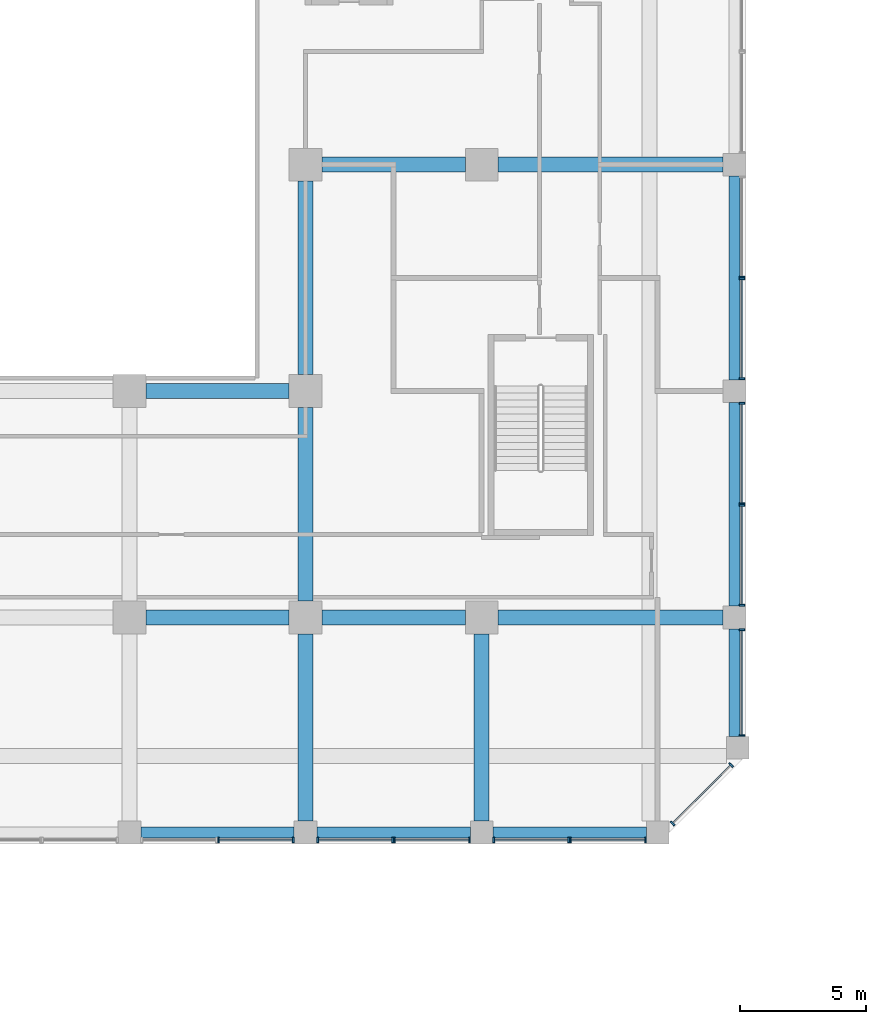
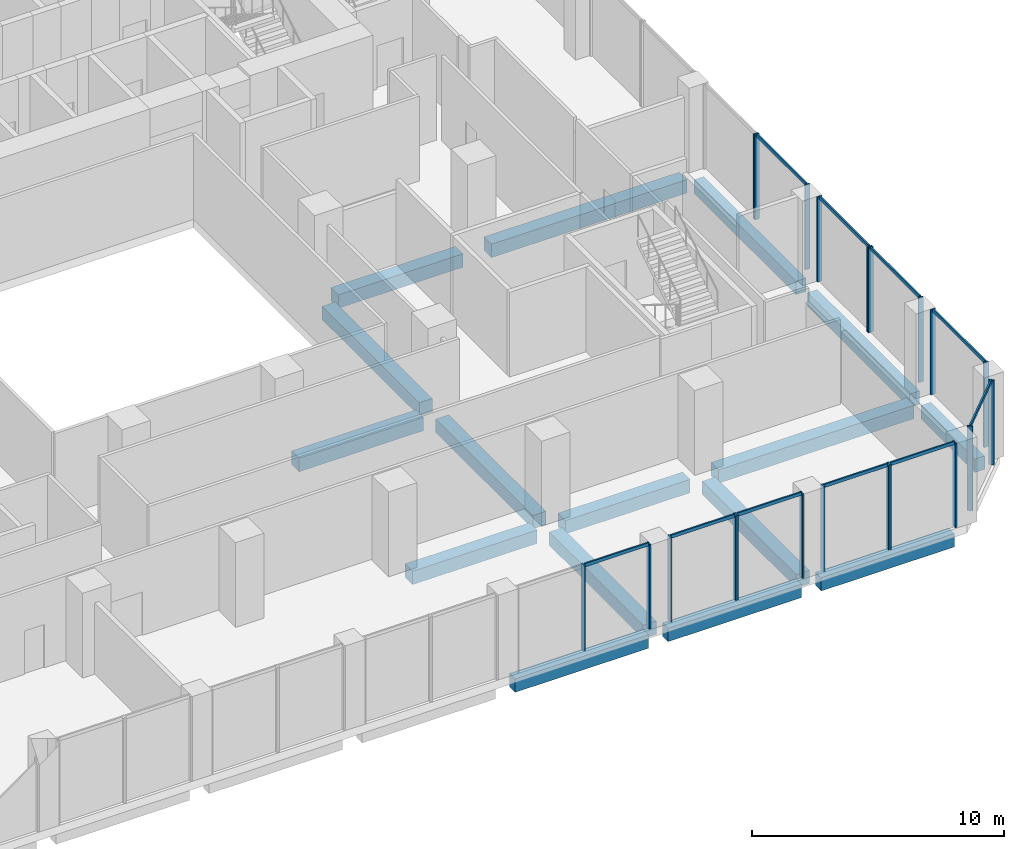
# One storey, part 5 of 35: 31 members, 16 beams, 11 elements without a shape of their own.
"""IFC4 building model written with IfcOpenShell, lengths in metres."""

import ifcopenshell
import ifcopenshell.guid

model = None  # the IFC model being written
_history = None  # IfcOwnerHistory: only IFC2X3 demands one
_inside = {}  # id of a spatial element -> (the spatial element, [elements in it])
_under = {}  # id of a project, library or spatial element -> (it, [spatial elements below it])
_declared = {}  # id of a project -> (the project, [libraries it declares])
_typed = {}  # id of a type object -> (the type object, [elements of that type])
_made_of = {}  # id of a material, layer set ... -> (it, [elements and type objects made of it])


def new_model(schema):
    """Start an empty IFC model of exactly this schema.

    Asked for "IFC4X3", IfcOpenShell would pick the latest addendum, in which some entities
    have other attributes; the version numbers below select the first issue.
    IFC2X3 requires an IfcOwnerHistory on every rooted entity: one is made here for all.
    """
    global model, _history
    if schema == "IFC4X3":
        model = ifcopenshell.file(schema_version=(4, 3, 0, 0))
    else:
        model = ifcopenshell.file(schema=schema)
    _inside.clear()
    _under.clear()
    _declared.clear()
    _typed.clear()
    _made_of.clear()
    _history = None
    if model.schema == "IFC2X3":
        org = make("IfcOrganization", Name="unknown")
        user = make(
            "IfcPersonAndOrganization",
            ThePerson=make("IfcPerson", FamilyName="unknown"),
            TheOrganization=org,
        )
        app = make(
            "IfcApplication",
            ApplicationDeveloper=org,
            Version="unknown",
            ApplicationFullName="unknown",
            ApplicationIdentifier="unknown",
        )
        _history = make(
            "IfcOwnerHistory",
            OwningUser=user,
            OwningApplication=app,
            ChangeAction="ADDED",
            CreationDate=0,
        )
    return model


def make(cls, **values):
    """One entity of the class cls with the attributes given. An attribute that is None is left unset."""
    return model.create_entity(
        cls, **{name: value for name, value in values.items() if value is not None}
    )


def rooted(cls, **values):
    """An entity with a GlobalId (a new one), such as an element, a storey or a relation."""
    return make(cls, GlobalId=ifcopenshell.guid.new(), OwnerHistory=_history, **values)


def si_unit(unit_type, name, prefix=None):
    """IfcSIUnit, for example si_unit("LENGTHUNIT", "METRE", prefix="MILLI")."""
    return make("IfcSIUnit", UnitType=unit_type, Prefix=prefix, Name=name)


def assignment(units):
    """IfcUnitAssignment: the units of a project."""
    return None if units is None else make("IfcUnitAssignment", Units=units)


def point(xyz):
    """IfcCartesianPoint."""
    return None if xyz is None else make("IfcCartesianPoint", Coordinates=xyz)


def direction(xyz):
    """IfcDirection."""
    return None if xyz is None else make("IfcDirection", DirectionRatios=xyz)


def frame(location, z_axis=None, x_axis=None):
    """IfcAxis2Placement3D, a coordinate frame: its origin and axes. An axis left out is left unset."""
    return make(
        "IfcAxis2Placement3D",
        Location=point(location),
        Axis=direction(z_axis),
        RefDirection=direction(x_axis),
    )


def frame_2d(location, x_axis=None):
    """IfcAxis2Placement2D, a coordinate frame in the plane: its origin and x axis."""
    return make(
        "IfcAxis2Placement2D", Location=point(location), RefDirection=direction(x_axis)
    )


def origin():
    """The frame at (0, 0, 0) with its axes left unset."""
    return frame((0.0, 0.0, 0.0))


def origin_2d():
    """The frame at (0, 0) in the plane with its x axis left unset."""
    return frame_2d((0.0, 0.0))


def place(relative_to, where):
    """IfcLocalPlacement: puts the frame where relative to a parent placement (None: the world)."""
    return make(
        "IfcLocalPlacement", PlacementRelTo=relative_to, RelativePlacement=where
    )


def context(
    kind, dimensions, precision=None, world=None, true_north=None, identifier=None
):
    """IfcGeometricRepresentationContext, for example the 3D "Model" context."""
    return make(
        "IfcGeometricRepresentationContext",
        ContextIdentifier=identifier,
        ContextType=kind,
        CoordinateSpaceDimension=dimensions,
        Precision=precision,
        WorldCoordinateSystem=world,
        TrueNorth=true_north,
    )


def subcontext(parent, identifier, kind, view, scale=None):
    """IfcGeometricRepresentationSubContext, for example "Body" below "Model"."""
    return make(
        "IfcGeometricRepresentationSubContext",
        ContextIdentifier=identifier,
        ContextType=kind,
        ParentContext=parent,
        TargetScale=scale,
        TargetView=view,
    )


def project(units=None, contexts=None):
    """IfcProject with its units and contexts."""
    return rooted(
        "IfcProject",
        Name="project",
        RepresentationContexts=contexts,
        UnitsInContext=assignment(units),
    )


def spatial(cls, under=None, at=None, **own):
    """A site, building, storey or space (cls), placed at a placement, below another one or the project."""
    s = rooted(cls, ObjectPlacement=at, **own)
    if under is not None:
        _under.setdefault(under.id(), (under, []))[1].append(s)
    return s


def profile(cls, at=None, kind="AREA", **sizes):
    """A parametric profile (cls). Its sizes go by their IFC names, for example OverallWidth=200.0."""
    return make(cls, ProfileType=kind, Position=at, **sizes)


def rectangle(**sizes):
    """IfcRectangleProfileDef."""
    return profile("IfcRectangleProfileDef", **sizes)


def extrude(swept, where, along, depth):
    """IfcExtrudedAreaSolid: the profile swept, set in the frame where, extruded along a direction by depth."""
    return make(
        "IfcExtrudedAreaSolid",
        SweptArea=swept,
        Position=where,
        ExtrudedDirection=direction(along),
        Depth=depth,
    )


def shape(context_of_items, identifier, shape_type, items):
    """IfcShapeRepresentation: the items that make up one representation, for example the "Body"."""
    return make(
        "IfcShapeRepresentation",
        ContextOfItems=context_of_items,
        RepresentationIdentifier=identifier,
        RepresentationType=shape_type,
        Items=items,
    )


def source(mapping_origin, context_of_items, identifier, shape_type, items):
    """IfcRepresentationMap: a shape defined once, which mapped items show again and again."""
    return make(
        "IfcRepresentationMap",
        MappingOrigin=mapping_origin,
        MappedRepresentation=shape(context_of_items, identifier, shape_type, items),
    )


def transform(
    local_origin,
    x_axis=None,
    y_axis=None,
    z_axis=None,
    scale=None,
    scale2=None,
    scale3=None,
    uniform=True,
):
    """IfcCartesianTransformationOperator3D, or its non-uniform kind. x_axis, y_axis, z_axis: its Axis1, 2, 3."""
    if uniform:
        return make(
            "IfcCartesianTransformationOperator3D",
            Axis1=direction(x_axis),
            Axis2=direction(y_axis),
            LocalOrigin=point(local_origin),
            Scale=scale,
            Axis3=direction(z_axis),
        )
    return make(
        "IfcCartesianTransformationOperator3DnonUniform",
        Axis1=direction(x_axis),
        Axis2=direction(y_axis),
        LocalOrigin=point(local_origin),
        Scale=scale,
        Axis3=direction(z_axis),
        Scale2=scale2,
        Scale3=scale3,
    )


def mapped(mapping_source, mapping_target):
    """IfcMappedItem: shows the shape of a source again, moved by a transform."""
    return make(
        "IfcMappedItem", MappingSource=mapping_source, MappingTarget=mapping_target
    )


def material(Name=None, Category=None):
    """IfcMaterial."""
    return make("IfcMaterial", Name=Name, Category=Category)


def material_profile(
    of_material, cross_section, Name=None, Category=None, Priority=None
):
    """IfcMaterialProfile: a cross section and its material."""
    return make(
        "IfcMaterialProfile",
        Name=Name,
        Material=of_material,
        Profile=cross_section,
        Priority=Priority,
        Category=Category,
    )


def profile_set(profiles, Name=None, composite=None):
    """IfcMaterialProfileSet."""
    return make(
        "IfcMaterialProfileSet",
        Name=Name,
        MaterialProfiles=profiles,
        CompositeProfile=composite,
    )


def made_of(thing, what):
    """Note that an element or type object is made of a material, layer set ...; save() writes the relation."""
    if what is not None:
        _made_of.setdefault(what.id(), (what, []))[1].append(thing)
    return thing


def type_object(cls, material=None, **own):
    """A type object (cls), such as IfcWallType, which elements share."""
    return made_of(rooted(cls, **own), material)


def element(
    cls,
    number,
    at=None,
    inside=None,
    cuts=None,
    type_object=None,
    material=None,
    context=None,
    identifier="Body",
    shape_type=None,
    held_by="IfcProductDefinitionShape",
    body=None,
    shapes=None,
    **own,
):
    """One element of the class cls, such as IfcWall. Its Tag is "e" and its number.

    at: its placement. inside: the storey or other place that contains it. cuts: it is an
    opening in that element (IfcRelVoidsElement). A single representation is given by context,
    identifier, shape_type and body (its items); several are given by shapes. held_by: the class
    of the entity that holds the representations. save() writes the other relations.
    """
    e = rooted(cls, Tag="e%d" % number, ObjectPlacement=at, **own)
    if body is not None:
        shapes = [shape(context, identifier, shape_type, body)]
    if shapes is not None:
        e.Representation = make(held_by, Representations=shapes)
    if inside is not None:
        _inside.setdefault(inside.id(), (inside, []))[1].append(e)
    if cuts is not None:
        rooted(
            "IfcRelVoidsElement", RelatingBuildingElement=cuts, RelatedOpeningElement=e
        )
    if type_object is not None:
        _typed.setdefault(type_object.id(), (type_object, []))[1].append(e)
    return made_of(e, material)


def aggregate(whole, parts):
    """IfcRelAggregates: a whole, such as a stair, and the parts it consists of."""
    return rooted("IfcRelAggregates", RelatingObject=whole, RelatedObjects=parts)


def save(model, path):
    """Write the relations noted so far, then the file.

    IfcRelAggregates (storeys below a building ...), IfcRelContainedInSpatialStructure (elements
    in a storey), IfcRelDefinesByType, IfcRelAssociatesMaterial and IfcRelDeclares: one each for
    every whole, place, type object, material and project.
    """
    for whole, parts in _under.values():
        aggregate(whole, parts)
    for where, things in _inside.values():
        rooted(
            "IfcRelContainedInSpatialStructure",
            RelatedElements=things,
            RelatingStructure=where,
        )
    for kind, things in _typed.values():
        rooted("IfcRelDefinesByType", RelatedObjects=things, RelatingType=kind)
    for what, things in _made_of.values():
        rooted("IfcRelAssociatesMaterial", RelatedObjects=things, RelatingMaterial=what)
    for by, libraries in _declared.values():
        rooted("IfcRelDeclares", RelatingContext=by, RelatedDefinitions=libraries)
    model.write(path)


model = new_model("IFC4")

# Units and contexts
model_context = context("Model", 3, precision=1e-05, world=origin(), true_north=direction((0.0, 1.0)))
body_context = subcontext(model_context, "Body", "Model", "MODEL_VIEW")
ifc_project = project(units=[si_unit("LENGTHUNIT", "METRE"), si_unit("AREAUNIT", "SQUARE_METRE"), si_unit("VOLUMEUNIT", "CUBIC_METRE"), si_unit("PLANEANGLEUNIT", "RADIAN"), si_unit("MASSUNIT", "GRAM", prefix="KILO")], contexts=[model_context])

# Site, building, storey
site_placement = place(None, origin())
site = spatial("IfcSite", under=ifc_project, at=site_placement, CompositionType="ELEMENT")
building_placement = place(site_placement, origin())
building = spatial("IfcBuilding", under=site, at=building_placement, Name="Kilnfold Tower and Market Hall", CompositionType="ELEMENT")
storey_placement = place(building_placement, frame((0.0, 0.0, 13.5)))
storey = spatial("IfcBuildingStorey", under=building, at=storey_placement, Name="L02", CompositionType="ELEMENT", Elevation=13.5)

# Beams
ifc_material_1 = material(Name="Concrete C45", Category="concrete")
ifc_material_profile_1 = material_profile(ifc_material_1, rectangle(XDim=0.449951171875, YDim=0.64990234375, at=origin_2d()), Name="RC 450x650")
ifc_profile_set_1 = profile_set([ifc_material_profile_1], Name="Concrete C45")
beam_type_1 = type_object("IfcBeamType", Name="EDGE BEAM 450X650 C45", PredefinedType="BEAM", material=ifc_profile_set_1)
shared_shape_1 = source(origin(), body_context, "Body", "SweptSolid", [
    extrude(rectangle(XDim=0.449951171875, YDim=0.64990234375, at=origin_2d()), origin(), (0.0, 0.0, 1.0), 6.10009765625),
])
for number, where, z_axis, x_axis, name in (
    (1, (3.949951171875, -27.550048828125, -0.72509765625), (1.0, 0.0, 0.0), (0.0, 1.0, 0.0), "Beam EB650-B1.4"),
    (2, (10.949951171875, -27.550048828125, -0.72509765625), (1.0, 0.0, 0.0), (0.0, 1.0, 0.0), "Beam EB650-B1.5"),
    (3, (17.949951171875, -27.550048828125, -0.72509765625), (1.0, 0.0, 0.0), (0.0, 1.0, 0.0), "Beam EB650-B1.6"),
):
    element("IfcBeam", number, at=place(storey_placement, frame(where, z_axis=z_axis, x_axis=x_axis)), inside=storey, type_object=beam_type_1, Name=name, PredefinedType="BEAM", context=body_context, shape_type="MappedRepresentation", body=[
        mapped(shared_shape_1, transform((0.0, 0.0, 0.0))),
    ])
ifc_material_2 = material(Name="Concrete C45", Category="concrete")
ifc_material_profile_2 = material_profile(ifc_material_2, rectangle(XDim=0.60009765625, YDim=0.64990234375, at=origin_2d()), Name="RC 600x650")
ifc_profile_set_2 = profile_set([ifc_material_profile_2], Name="Concrete C45")
beam_type_2 = type_object("IfcBeamType", Name="BEAM 600X650 C45", PredefinedType="BEAM", material=ifc_profile_set_2)
shared_shape_2 = source(origin(), body_context, "Body", "SweptSolid", [
    extrude(rectangle(XDim=0.60009765625, YDim=0.64990234375, at=origin_2d()), origin(), (0.0, 0.0, 1.0), 8.9501953125),
])
for number, where, z_axis, x_axis, name in (
    (4, (18.14990234375, -19.0, -0.72509765625), (1.0, 0.0, 0.0), (0.0, 1.0, 0.0), "Beam BB650-B1.12"),
    (5, (18.14990234375, -1.0, -0.72509765625), (1.0, 0.0, 0.0), (0.0, 1.0, 0.0), "Beam BB650-B1.20"),
):
    element("IfcBeam", number, at=place(storey_placement, frame(where, z_axis=z_axis, x_axis=x_axis)), inside=storey, type_object=beam_type_2, Name=name, PredefinedType="BEAM", context=body_context, shape_type="MappedRepresentation", body=[
        mapped(shared_shape_2, transform((0.0, 0.0, 0.0))),
    ])
shared_shape_3 = source(origin(), body_context, "Body", "SweptSolid", [
    extrude(rectangle(XDim=0.60009765625, YDim=0.64990234375, at=origin_2d()), origin(), (0.0, 0.0, 1.0), 5.7001953125),
])
for number, where, z_axis, x_axis, name in (
    (6, (4.14990234375, -19.0, -0.72509765625), (1.0, 0.0, 0.0), (0.0, 1.0, 0.0), "Beam BB650-B1.10"),
    (7, (11.14990234375, -19.0, -0.72509765625), (1.0, 0.0, 0.0), (0.0, 1.0, 0.0), "Beam BB650-B1.11"),
    (8, (4.14990234375, -10.0, -0.72509765625), (1.0, 0.0, 0.0), (0.0, 1.0, 0.0), "Beam BB650-B1.15"),
    (9, (11.14990234375, -1.0, -0.72509765625), (1.0, 0.0, 0.0), (0.0, 1.0, 0.0), "Beam BB650-B1.19"),
):
    element("IfcBeam", number, at=place(storey_placement, frame(where, z_axis=z_axis, x_axis=x_axis)), inside=storey, type_object=beam_type_2, Name=name, PredefinedType="BEAM", context=body_context, shape_type="MappedRepresentation", body=[
        mapped(shared_shape_3, transform((0.0, 0.0, 0.0))),
    ])
shared_shape_4 = source(origin(), body_context, "Body", "SweptSolid", [
    extrude(rectangle(XDim=0.449951171875, YDim=0.64990234375, at=origin_2d()), origin(), (0.0, 0.0, 1.0), 8.10009765625),
])
for number, where, z_axis, x_axis, name in (
    (10, (27.550048828125, -18.550048828125, -0.72509765625), (0.0, 1.0, 0.0), (-1.0, 0.0, 0.0), "Beam EB650-B1.52"),
    (11, (27.550048828125, -9.550048828125, -0.72509765625), (0.0, 1.0, 0.0), (-1.0, 0.0, 0.0), "Beam EB650-B1.58"),
):
    element("IfcBeam", number, at=place(storey_placement, frame(where, z_axis=z_axis, x_axis=x_axis)), inside=storey, type_object=beam_type_1, Name=name, PredefinedType="BEAM", context=body_context, shape_type="MappedRepresentation", body=[
        mapped(shared_shape_4, transform((0.0, 0.0, 0.0))),
    ])
shared_shape_5 = source(origin(), body_context, "Body", "SweptSolid", [
    extrude(rectangle(XDim=0.60009765625, YDim=0.64990234375, at=origin_2d()), origin(), (0.0, 0.0, 1.0), 7.4501953125),
])
for number, where, z_axis, x_axis, name in (
    (12, (10.5, -27.10009765625, -0.72509765625), (0.0, 1.0, 0.0), (-1.0, 0.0, 0.0), "Beam BB650-B1.47"),
    (13, (17.5, -27.10009765625, -0.72509765625), (0.0, 1.0, 0.0), (-1.0, 0.0, 0.0), "Beam BB650-B1.50"),
):
    element("IfcBeam", number, at=place(storey_placement, frame(where, z_axis=z_axis, x_axis=x_axis)), inside=storey, type_object=beam_type_2, Name=name, PredefinedType="BEAM", context=body_context, shape_type="MappedRepresentation", body=[
        mapped(shared_shape_5, transform((0.0, 0.0, 0.0))),
    ])
shared_shape_6 = source(origin(), body_context, "Body", "SweptSolid", [
    extrude(rectangle(XDim=0.60009765625, YDim=0.64990234375, at=origin_2d()), origin(), (0.0, 0.0, 1.0), 7.7001953125),
])
for number, where, z_axis, x_axis, name in (
    (14, (10.5, -18.35009765625, -0.72509765625), (0.0, 1.0, 0.0), (-1.0, 0.0, 0.0), "Beam BB650-B1.48"),
    (15, (10.5, -9.35009765625, -0.72509765625), (0.0, 1.0, 0.0), (-1.0, 0.0, 0.0), "Beam BB650-B1.49"),
):
    element("IfcBeam", number, at=place(storey_placement, frame(where, z_axis=z_axis, x_axis=x_axis)), inside=storey, type_object=beam_type_2, Name=name, PredefinedType="BEAM", context=body_context, shape_type="MappedRepresentation", body=[
        mapped(shared_shape_6, transform((0.0, 0.0, 0.0))),
    ])
shared_shape_7 = source(origin(), body_context, "Body", "SweptSolid", [
    extrude(rectangle(XDim=0.449951171875, YDim=0.64990234375, at=origin_2d()), origin(), (0.0, 0.0, 1.0), 4.28173828125),
])
beam_placement = place(storey_placement, frame((27.550048828125, -23.731689453125, -0.72509765625), z_axis=(0.0, 1.0, 0.0), x_axis=(-1.0, 0.0, 0.0)))
element("IfcBeam", 16, at=beam_placement, inside=storey, type_object=beam_type_1, Name="Beam EB650-B1.51", PredefinedType="BEAM", context=body_context, shape_type="MappedRepresentation", body=[
    mapped(shared_shape_7, transform((0.0, 0.0, 0.0))),
])

# Curtain wall, members
ifc_material_3 = material(Name="Aluminium and double glazing", Category="aluminium")
curtain_wall_type = type_object("IfcCurtainWallType", Name="CW BASE PODIUM GLAZING", PredefinedType="NOTDEFINED", material=ifc_material_3)
curtain_wall_1_placement = place(storey_placement, origin())
curtain_wall_1 = element("IfcCurtainWall", 17, at=curtain_wall_1_placement, inside=storey, type_object=curtain_wall_type, Name="Curtain wall CW4 L02 S", PredefinedType="NOTDEFINED")
ifc_material_4 = material(Name="Aluminium", Category="aluminium")
ifc_material_profile_3 = material_profile(ifc_material_4, rectangle(XDim=0.070068359375, YDim=0.219970703125, at=origin_2d()), Name="MULLION 70x220")
ifc_profile_set_3 = profile_set([ifc_material_profile_3], Name="Aluminium")
member_type_1 = type_object("IfcMemberType", Name="MULLION 70X220", PredefinedType="MULLION", material=ifc_profile_set_3)
shared_shape_8 = source(origin(), body_context, "Body", "SweptSolid", [
    extrude(rectangle(XDim=0.070068359375, YDim=0.219970703125, at=origin_2d()), origin(), (0.0, 0.0, 1.0), 4.10009765625),
])
member_1_placement = place(storey_placement, frame((7.034912109375, -27.85009765625, 0.0), z_axis=(0.0, 0.0, 1.0), x_axis=(1.0, 0.0, 0.0)))
member_1 = element("IfcMember", 18, at=member_1_placement, type_object=member_type_1, Name="CW4 mullion 1", PredefinedType="MULLION", context=body_context, shape_type="MappedRepresentation", body=[
    mapped(shared_shape_8, transform((0.0, 0.0, 0.0))),
])
member_2_placement = place(storey_placement, frame((10.014892578125, -27.85009765625, 0.0), z_axis=(0.0, 0.0, 1.0), x_axis=(1.0, 0.0, 0.0)))
member_2 = element("IfcMember", 19, at=member_2_placement, type_object=member_type_1, Name="CW4 mullion 2", PredefinedType="MULLION", context=body_context, shape_type="MappedRepresentation", body=[
    mapped(shared_shape_8, transform((0.0, 0.0, 0.0))),
])

curtain_wall_2_placement = place(storey_placement, origin())
curtain_wall_2 = element("IfcCurtainWall", 20, at=curtain_wall_2_placement, inside=storey, type_object=curtain_wall_type, Name="Curtain wall CW4 L02 S", PredefinedType="NOTDEFINED")
member_3_placement = place(storey_placement, frame((10.985107421875, -27.85009765625, 0.0), z_axis=(0.0, 0.0, 1.0), x_axis=(1.0, 0.0, 0.0)))
member_3 = element("IfcMember", 21, at=member_3_placement, type_object=member_type_1, Name="CW4 mullion 1", PredefinedType="MULLION", context=body_context, shape_type="MappedRepresentation", body=[
    mapped(shared_shape_8, transform((0.0, 0.0, 0.0))),
])
member_4_placement = place(storey_placement, frame((13.965087890625, -27.85009765625, 0.0), z_axis=(0.0, 0.0, 1.0), x_axis=(1.0, 0.0, 0.0)))
member_4 = element("IfcMember", 22, at=member_4_placement, type_object=member_type_1, Name="CW4 mullion 2", PredefinedType="MULLION", context=body_context, shape_type="MappedRepresentation", body=[
    mapped(shared_shape_8, transform((0.0, 0.0, 0.0))),
])

curtain_wall_3_placement = place(storey_placement, origin())
curtain_wall_3 = element("IfcCurtainWall", 23, at=curtain_wall_3_placement, inside=storey, type_object=curtain_wall_type, Name="Curtain wall CW4 L02 S", PredefinedType="NOTDEFINED")
member_5_placement = place(storey_placement, frame((14.034912109375, -27.85009765625, 0.0), z_axis=(0.0, 0.0, 1.0), x_axis=(1.0, 0.0, 0.0)))
member_5 = element("IfcMember", 24, at=member_5_placement, type_object=member_type_1, Name="CW4 mullion 1", PredefinedType="MULLION", context=body_context, shape_type="MappedRepresentation", body=[
    mapped(shared_shape_8, transform((0.0, 0.0, 0.0))),
])
member_6_placement = place(storey_placement, frame((17.014892578125, -27.85009765625, 0.0), z_axis=(0.0, 0.0, 1.0), x_axis=(1.0, 0.0, 0.0)))
member_6 = element("IfcMember", 25, at=member_6_placement, type_object=member_type_1, Name="CW4 mullion 2", PredefinedType="MULLION", context=body_context, shape_type="MappedRepresentation", body=[
    mapped(shared_shape_8, transform((0.0, 0.0, 0.0))),
])

curtain_wall_4_placement = place(storey_placement, origin())
curtain_wall_4 = element("IfcCurtainWall", 26, at=curtain_wall_4_placement, inside=storey, type_object=curtain_wall_type, Name="Curtain wall CW4 L02 S", PredefinedType="NOTDEFINED")
member_7_placement = place(storey_placement, frame((17.985107421875, -27.85009765625, 0.0), z_axis=(0.0, 0.0, 1.0), x_axis=(1.0, 0.0, 0.0)))
member_7 = element("IfcMember", 27, at=member_7_placement, type_object=member_type_1, Name="CW4 mullion 1", PredefinedType="MULLION", context=body_context, shape_type="MappedRepresentation", body=[
    mapped(shared_shape_8, transform((0.0, 0.0, 0.0))),
])
member_8_placement = place(storey_placement, frame((20.965087890625, -27.85009765625, 0.0), z_axis=(0.0, 0.0, 1.0), x_axis=(1.0, 0.0, 0.0)))
member_8 = element("IfcMember", 28, at=member_8_placement, type_object=member_type_1, Name="CW4 mullion 2", PredefinedType="MULLION", context=body_context, shape_type="MappedRepresentation", body=[
    mapped(shared_shape_8, transform((0.0, 0.0, 0.0))),
])

curtain_wall_5_placement = place(storey_placement, origin())
curtain_wall_5 = element("IfcCurtainWall", 29, at=curtain_wall_5_placement, inside=storey, type_object=curtain_wall_type, Name="Curtain wall CW4 L02 S", PredefinedType="NOTDEFINED")
member_9_placement = place(storey_placement, frame((21.034912109375, -27.85009765625, 0.0), z_axis=(0.0, 0.0, 1.0), x_axis=(1.0, 0.0, 0.0)))
member_9 = element("IfcMember", 30, at=member_9_placement, type_object=member_type_1, Name="CW4 mullion 1", PredefinedType="MULLION", context=body_context, shape_type="MappedRepresentation", body=[
    mapped(shared_shape_8, transform((0.0, 0.0, 0.0))),
])
member_10_placement = place(storey_placement, frame((24.014892578125, -27.85009765625, 0.0), z_axis=(0.0, 0.0, 1.0), x_axis=(1.0, 0.0, 0.0)))
member_10 = element("IfcMember", 31, at=member_10_placement, type_object=member_type_1, Name="CW4 mullion 2", PredefinedType="MULLION", context=body_context, shape_type="MappedRepresentation", body=[
    mapped(shared_shape_8, transform((0.0, 0.0, 0.0))),
])

curtain_wall_6_placement = place(storey_placement, origin())
curtain_wall_6 = element("IfcCurtainWall", 32, at=curtain_wall_6_placement, inside=storey, type_object=curtain_wall_type, Name="Curtain wall CW4 L02 SE", PredefinedType="NOTDEFINED")
member_11_placement = place(storey_placement, frame((25.09375, -27.194091796875, 0.0), z_axis=(0.0, 0.0, 1.0), x_axis=(0.707121667181, 0.707091894879, 0.0)))
member_11 = element("IfcMember", 33, at=member_11_placement, type_object=member_type_1, Name="CW4 mullion 1", PredefinedType="MULLION", context=body_context, shape_type="MappedRepresentation", body=[
    mapped(shared_shape_8, transform((0.0, 0.0, 0.0))),
])
member_12_placement = place(storey_placement, frame((27.419189453125, -24.86865234375, 0.0), z_axis=(0.0, 0.0, 1.0), x_axis=(0.707121667181, 0.707091894879, 0.0)))
member_12 = element("IfcMember", 34, at=member_12_placement, type_object=member_type_1, Name="CW4 mullion 2", PredefinedType="MULLION", context=body_context, shape_type="MappedRepresentation", body=[
    mapped(shared_shape_8, transform((0.0, 0.0, 0.0))),
])

curtain_wall_7_placement = place(storey_placement, origin())
curtain_wall_7 = element("IfcCurtainWall", 35, at=curtain_wall_7_placement, inside=storey, type_object=curtain_wall_type, Name="Curtain wall CW4 L02 E", PredefinedType="NOTDEFINED")
member_13_placement = place(storey_placement, frame((27.85009765625, -23.69677734375, 0.0), z_axis=(0.0, 0.0, 1.0), x_axis=(0.0, 1.0, 0.0)))
member_13 = element("IfcMember", 36, at=member_13_placement, type_object=member_type_1, Name="CW4 mullion 1", PredefinedType="MULLION", context=body_context, shape_type="MappedRepresentation", body=[
    mapped(shared_shape_8, transform((0.0, 0.0, 0.0))),
])
member_14_placement = place(storey_placement, frame((27.85009765625, -19.485107421875, 0.0), z_axis=(0.0, 0.0, 1.0), x_axis=(0.0, 1.0, 0.0)))
member_14 = element("IfcMember", 37, at=member_14_placement, type_object=member_type_1, Name="CW4 mullion 2", PredefinedType="MULLION", context=body_context, shape_type="MappedRepresentation", body=[
    mapped(shared_shape_8, transform((0.0, 0.0, 0.0))),
])

curtain_wall_8_placement = place(storey_placement, origin())
curtain_wall_8 = element("IfcCurtainWall", 38, at=curtain_wall_8_placement, inside=storey, type_object=curtain_wall_type, Name="Curtain wall CW4 L02 E", PredefinedType="NOTDEFINED")
member_15_placement = place(storey_placement, frame((27.85009765625, -18.514892578125, 0.0), z_axis=(0.0, 0.0, 1.0), x_axis=(0.0, 1.0, 0.0)))
member_15 = element("IfcMember", 39, at=member_15_placement, type_object=member_type_1, Name="CW4 mullion 1", PredefinedType="MULLION", context=body_context, shape_type="MappedRepresentation", body=[
    mapped(shared_shape_8, transform((0.0, 0.0, 0.0))),
])
member_16_placement = place(storey_placement, frame((27.85009765625, -14.534912109375, 0.0), z_axis=(0.0, 0.0, 1.0), x_axis=(0.0, 1.0, 0.0)))
member_16 = element("IfcMember", 40, at=member_16_placement, type_object=member_type_1, Name="CW4 mullion 2", PredefinedType="MULLION", context=body_context, shape_type="MappedRepresentation", body=[
    mapped(shared_shape_8, transform((0.0, 0.0, 0.0))),
])

curtain_wall_9_placement = place(storey_placement, origin())
curtain_wall_9 = element("IfcCurtainWall", 41, at=curtain_wall_9_placement, inside=storey, type_object=curtain_wall_type, Name="Curtain wall CW4 L02 E", PredefinedType="NOTDEFINED")
member_17_placement = place(storey_placement, frame((27.85009765625, -14.465087890625, 0.0), z_axis=(0.0, 0.0, 1.0), x_axis=(0.0, 1.0, 0.0)))
member_17 = element("IfcMember", 42, at=member_17_placement, type_object=member_type_1, Name="CW4 mullion 1", PredefinedType="MULLION", context=body_context, shape_type="MappedRepresentation", body=[
    mapped(shared_shape_8, transform((0.0, 0.0, 0.0))),
])
member_18_placement = place(storey_placement, frame((27.85009765625, -10.485107421875, 0.0), z_axis=(0.0, 0.0, 1.0), x_axis=(0.0, 1.0, 0.0)))
member_18 = element("IfcMember", 43, at=member_18_placement, type_object=member_type_1, Name="CW4 mullion 2", PredefinedType="MULLION", context=body_context, shape_type="MappedRepresentation", body=[
    mapped(shared_shape_8, transform((0.0, 0.0, 0.0))),
])

curtain_wall_10_placement = place(storey_placement, origin())
curtain_wall_10 = element("IfcCurtainWall", 44, at=curtain_wall_10_placement, inside=storey, type_object=curtain_wall_type, Name="Curtain wall CW4 L02 E", PredefinedType="NOTDEFINED")
member_19_placement = place(storey_placement, frame((27.85009765625, -9.514892578125, 0.0), z_axis=(0.0, 0.0, 1.0), x_axis=(0.0, 1.0, 0.0)))
member_19 = element("IfcMember", 45, at=member_19_placement, type_object=member_type_1, Name="CW4 mullion 1", PredefinedType="MULLION", context=body_context, shape_type="MappedRepresentation", body=[
    mapped(shared_shape_8, transform((0.0, 0.0, 0.0))),
])
member_20_placement = place(storey_placement, frame((27.85009765625, -5.534912109375, 0.0), z_axis=(0.0, 0.0, 1.0), x_axis=(0.0, 1.0, 0.0)))
member_20 = element("IfcMember", 46, at=member_20_placement, type_object=member_type_1, Name="CW4 mullion 2", PredefinedType="MULLION", context=body_context, shape_type="MappedRepresentation", body=[
    mapped(shared_shape_8, transform((0.0, 0.0, 0.0))),
])

# Curtain wall, member
curtain_wall_11_placement = place(storey_placement, origin())
curtain_wall_11 = element("IfcCurtainWall", 47, at=curtain_wall_11_placement, inside=storey, type_object=curtain_wall_type, Name="Curtain wall CW4 L02 E", PredefinedType="NOTDEFINED")
member_21_placement = place(storey_placement, frame((27.85009765625, -5.465087890625, 0.0), z_axis=(0.0, 0.0, 1.0), x_axis=(0.0, 1.0, 0.0)))
member_21 = element("IfcMember", 48, at=member_21_placement, type_object=member_type_1, Name="CW4 mullion 1", PredefinedType="MULLION", context=body_context, shape_type="MappedRepresentation", body=[
    mapped(shared_shape_8, transform((0.0, 0.0, 0.0))),
])
aggregate(curtain_wall_11, [member_21])

# Member
ifc_material_5 = material(Name="Aluminium", Category="aluminium")
ifc_material_profile_4 = material_profile(ifc_material_5, rectangle(XDim=0.070068359375, YDim=0.159912109375, at=origin_2d()), Name="TRANSOM 70x160")
ifc_profile_set_4 = profile_set([ifc_material_profile_4], Name="Aluminium")
member_type_2 = type_object("IfcMemberType", Name="TRANSOM 70X160", PredefinedType="USERDEFINED", material=ifc_profile_set_4)
shared_shape_9 = source(origin(), body_context, "Body", "SweptSolid", [
    extrude(rectangle(XDim=0.070068359375, YDim=0.159912109375, at=origin_2d()), origin(), (0.0, 0.0, 1.0), 2.909912109375),
])
member_22_placement = place(storey_placement, frame((7.070068359375, -27.85009765625, 4.06494140625), z_axis=(1.0, 0.0, 0.0), x_axis=(0.0, 1.0, 0.0)))
member_22 = element("IfcMember", 49, at=member_22_placement, type_object=member_type_2, Name="CW4 transom 1.2", ObjectType="TRANSOM", PredefinedType="USERDEFINED", context=body_context, shape_type="MappedRepresentation", body=[
    mapped(shared_shape_9, transform((0.0, 0.0, 0.0))),
])

aggregate(curtain_wall_1, [member_1, member_2, member_22])

member_23_placement = place(storey_placement, frame((11.02001953125, -27.85009765625, 4.06494140625), z_axis=(1.0, 0.0, 0.0), x_axis=(0.0, 1.0, 0.0)))
member_23 = element("IfcMember", 50, at=member_23_placement, type_object=member_type_2, Name="CW4 transom 1.2", ObjectType="TRANSOM", PredefinedType="USERDEFINED", context=body_context, shape_type="MappedRepresentation", body=[
    mapped(shared_shape_9, transform((0.0, 0.0, 0.0))),
])

aggregate(curtain_wall_2, [member_3, member_4, member_23])

member_24_placement = place(storey_placement, frame((14.070068359375, -27.85009765625, 4.06494140625), z_axis=(1.0, 0.0, 0.0), x_axis=(0.0, 1.0, 0.0)))
member_24 = element("IfcMember", 51, at=member_24_placement, type_object=member_type_2, Name="CW4 transom 1.2", ObjectType="TRANSOM", PredefinedType="USERDEFINED", context=body_context, shape_type="MappedRepresentation", body=[
    mapped(shared_shape_9, transform((0.0, 0.0, 0.0))),
])

aggregate(curtain_wall_3, [member_5, member_6, member_24])

member_25_placement = place(storey_placement, frame((18.02001953125, -27.85009765625, 4.06494140625), z_axis=(1.0, 0.0, 0.0), x_axis=(0.0, 1.0, 0.0)))
member_25 = element("IfcMember", 52, at=member_25_placement, type_object=member_type_2, Name="CW4 transom 1.2", ObjectType="TRANSOM", PredefinedType="USERDEFINED", context=body_context, shape_type="MappedRepresentation", body=[
    mapped(shared_shape_9, transform((0.0, 0.0, 0.0))),
])

aggregate(curtain_wall_4, [member_7, member_8, member_25])

member_26_placement = place(storey_placement, frame((21.070068359375, -27.85009765625, 4.06494140625), z_axis=(1.0, 0.0, 0.0), x_axis=(0.0, 1.0, 0.0)))
member_26 = element("IfcMember", 53, at=member_26_placement, type_object=member_type_2, Name="CW4 transom 1.2", ObjectType="TRANSOM", PredefinedType="USERDEFINED", context=body_context, shape_type="MappedRepresentation", body=[
    mapped(shared_shape_9, transform((0.0, 0.0, 0.0))),
])

aggregate(curtain_wall_5, [member_9, member_10, member_26])

shared_shape_10 = source(origin(), body_context, "Body", "SweptSolid", [
    extrude(rectangle(XDim=0.070068359375, YDim=0.159912109375, at=origin_2d()), origin(), (0.0, 0.0, 1.0), 3.909912109375),
])
member_27_placement = place(storey_placement, frame((27.85009765625, -18.47998046875, 4.06494140625), z_axis=(0.0, 1.0, 0.0), x_axis=(-1.0, 0.0, 0.0)))
member_27 = element("IfcMember", 54, at=member_27_placement, type_object=member_type_2, Name="CW4 transom 1.2", ObjectType="TRANSOM", PredefinedType="USERDEFINED", context=body_context, shape_type="MappedRepresentation", body=[
    mapped(shared_shape_10, transform((0.0, 0.0, 0.0))),
])

aggregate(curtain_wall_8, [member_15, member_16, member_27])

member_28_placement = place(storey_placement, frame((27.85009765625, -14.429931640625, 4.06494140625), z_axis=(0.0, 1.0, 0.0), x_axis=(-1.0, 0.0, 0.0)))
member_28 = element("IfcMember", 55, at=member_28_placement, type_object=member_type_2, Name="CW4 transom 1.2", ObjectType="TRANSOM", PredefinedType="USERDEFINED", context=body_context, shape_type="MappedRepresentation", body=[
    mapped(shared_shape_10, transform((0.0, 0.0, 0.0))),
])

aggregate(curtain_wall_9, [member_17, member_18, member_28])

member_29_placement = place(storey_placement, frame((27.85009765625, -9.47998046875, 4.06494140625), z_axis=(0.0, 1.0, 0.0), x_axis=(-1.0, 0.0, 0.0)))
member_29 = element("IfcMember", 56, at=member_29_placement, type_object=member_type_2, Name="CW4 transom 1.2", ObjectType="TRANSOM", PredefinedType="USERDEFINED", context=body_context, shape_type="MappedRepresentation", body=[
    mapped(shared_shape_10, transform((0.0, 0.0, 0.0))),
])

aggregate(curtain_wall_10, [member_19, member_20, member_29])

shared_shape_11 = source(origin(), body_context, "Body", "SweptSolid", [
    extrude(rectangle(XDim=0.070068359375, YDim=0.159912109375, at=origin_2d()), origin(), (0.0, 0.0, 1.0), 3.218994140625),
])
member_30_placement = place(storey_placement, frame((25.118408203125, -27.16943359375, 4.06494140625), z_axis=(0.707106781187, 0.707106781187, 0.0), x_axis=(-0.707106781187, 0.707106781187, 0.0)))
member_30 = element("IfcMember", 57, at=member_30_placement, type_object=member_type_2, Name="CW4 transom 1.2", ObjectType="TRANSOM", PredefinedType="USERDEFINED", context=body_context, shape_type="MappedRepresentation", body=[
    mapped(shared_shape_11, transform((0.0, 0.0, 0.0))),
])

aggregate(curtain_wall_6, [member_11, member_12, member_30])

shared_shape_12 = source(origin(), body_context, "Body", "SweptSolid", [
    extrude(rectangle(XDim=0.070068359375, YDim=0.159912109375, at=origin_2d()), origin(), (0.0, 0.0, 1.0), 4.141845703125),
])
member_31_placement = place(storey_placement, frame((27.85009765625, -23.661865234375, 4.06494140625), z_axis=(0.0, 1.0, 0.0), x_axis=(-1.0, 0.0, 0.0)))
member_31 = element("IfcMember", 58, at=member_31_placement, type_object=member_type_2, Name="CW4 transom 1.2", ObjectType="TRANSOM", PredefinedType="USERDEFINED", context=body_context, shape_type="MappedRepresentation", body=[
    mapped(shared_shape_12, transform((0.0, 0.0, 0.0))),
])

aggregate(curtain_wall_7, [member_13, member_14, member_31])

save(model, "model.ifc")
